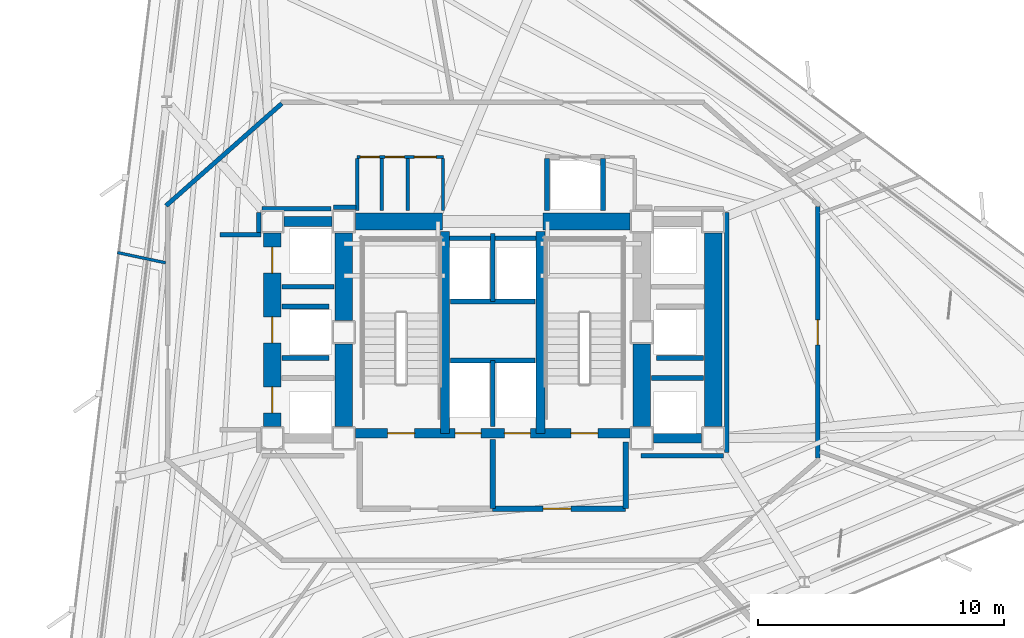
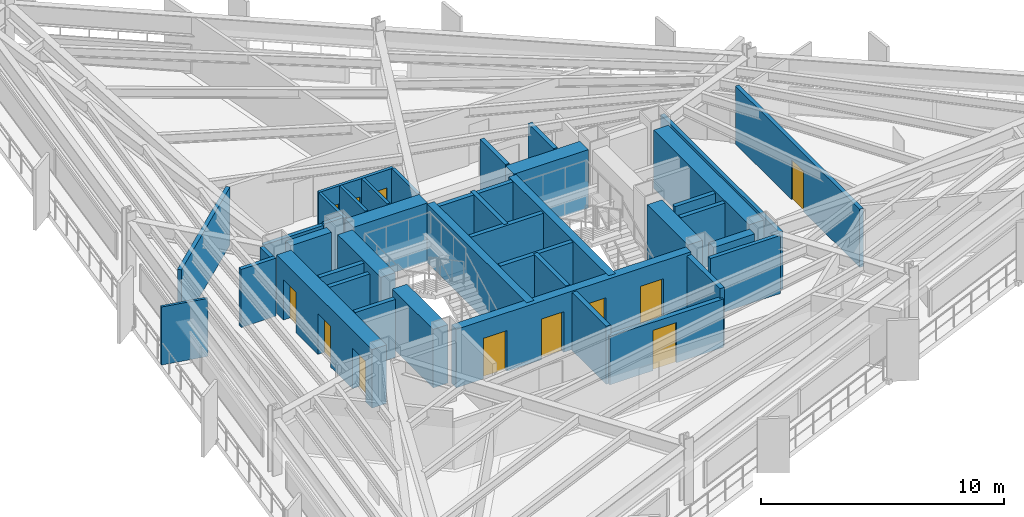
# One storey, part 7 of 13: 41 walls, 12 doors, 12 openings.
"""IFC4 building model written with IfcOpenShell, lengths in metres."""

from ifc_helpers import new_model, si_unit, direction, frame, frame_2d, origin, place, context, subcontext, project, spatial, rectangle, extrude, material, layer, layer_set, type_object, element, fill, save


model = new_model("IFC4")

# Units and contexts
model_context = context("Model", 3, precision=1e-05, world=origin(), true_north=direction((0.0, 1.0)))
body_context = subcontext(model_context, "Body", "Model", "MODEL_VIEW")
ifc_project = project(units=[si_unit("LENGTHUNIT", "METRE"), si_unit("AREAUNIT", "SQUARE_METRE"), si_unit("VOLUMEUNIT", "CUBIC_METRE"), si_unit("PLANEANGLEUNIT", "RADIAN"), si_unit("MASSUNIT", "GRAM", prefix="KILO")], contexts=[model_context])

# Site, building, storey
site_placement = place(None, origin())
site = spatial("IfcSite", under=ifc_project, at=site_placement, CompositionType="ELEMENT")
building_placement = place(site_placement, origin())
building = spatial("IfcBuilding", under=site, at=building_placement, Name="Rocaltana Carrier Exchange", CompositionType="ELEMENT")
storey_placement = place(building_placement, frame((0.0, 0.0, 73.1201171875)))
storey = spatial("IfcBuildingStorey", under=building, at=storey_placement, Name="L22", CompositionType="ELEMENT", Elevation=73.1201171875)

# Walls
ifc_material_1 = material(Name="Concrete C50/60", Category="concrete")
ifc_layer_1 = layer(ifc_material_1, 0.35009765625)
ifc_layer_set_1 = layer_set([ifc_layer_1], Name="Concrete C50/60")
wall_type_1 = type_object("IfcWallType", Name="Core Internal Shear Wall 350", PredefinedType="SHEAR", material=ifc_layer_set_1)
for number, where, z_axis, x_axis, name in (
    (1, (-1.93994140625, -4.10009765625, 0.0), (0.0, 0.0, 1.0), (0.0, 1.0, 0.0), "L22 Core Shear Wall CW-STW"),
    (2, (1.93994140625, -4.10009765625, 0.0), (0.0, 0.0, 1.0), (0.0, 1.0, 0.0), "L22 Core Shear Wall CW-STE"),
):
    element("IfcWall", number, at=place(storey_placement, frame(where, z_axis=z_axis, x_axis=x_axis)), inside=storey, type_object=wall_type_1, Name=name, PredefinedType="SHEAR", context=body_context, shape_type="SweptSolid", body=[
        extrude(rectangle(XDim=8.2001953125, YDim=0.35009765625, at=frame_2d((4.10009765625, 0.0))), origin(), (0.0, 0.0, 1.0), 2.93798828125),
    ])

# Wall, openings, doors
ifc_material_2 = material(Name="Concrete C50/60", Category="concrete")
ifc_layer_2 = layer(ifc_material_2, 0.39990234375)
ifc_layer_set_2 = layer_set([ifc_layer_2], Name="Concrete C50/60")
wall_type_2 = type_object("IfcWallType", Name="Core Internal Shear Wall 400", PredefinedType="SHEAR", material=ifc_layer_set_2)
wall_1_placement = place(storey_placement, frame((-5.574951171875, -4.10009765625, 0.0), z_axis=(0.0, 0.0, 1.0), x_axis=(1.0, 0.0, 0.0)))
wall_1 = element("IfcWall", 3, at=wall_1_placement, inside=storey, type_object=wall_type_2, Name="L22 Core Shear Wall CW-S", PredefinedType="SHEAR", context=body_context, shape_type="SweptSolid", body=[
    extrude(rectangle(XDim=11.14990234375, YDim=0.39990234375, at=frame_2d((5.574951171875, 0.0))), origin(), (0.0, 0.0, 1.0), 2.93798828125),
])
opening_1_placement = place(wall_1_placement, frame((1.304931640625, 0.0, 0.0)))
opening_1 = element("IfcOpeningElement", 4, at=opening_1_placement, cuts=wall_1, Name="Opening D-ST110", PredefinedType="OPENING", context=body_context, shape_type="SweptSolid", body=[
    extrude(rectangle(XDim=1.10009765625, YDim=2.0400390625, at=frame_2d((0.550048828125, 1.02001953125))), frame((0.0, 0.2099609375, 0.0), z_axis=(0.0, -1.0, 0.0), x_axis=(1.0, 0.0, 0.0)), (0.0, 0.0, 1.0), 0.419921875),
])
opening_2_placement = place(wall_1_placement, frame((8.7451171875, 0.0, 0.0)))
opening_2 = element("IfcOpeningElement", 5, at=opening_2_placement, cuts=wall_1, Name="Opening D-ST110", PredefinedType="OPENING", context=body_context, shape_type="SweptSolid", body=[
    extrude(rectangle(XDim=1.10009765625, YDim=2.0400390625, at=frame_2d((0.550048828125, 1.02001953125))), frame((0.0, 0.2099609375, 0.0), z_axis=(0.0, -1.0, 0.0), x_axis=(1.0, 0.0, 0.0)), (0.0, 0.0, 1.0), 0.419921875),
])
opening_3_placement = place(wall_1_placement, frame((4.044921875, 0.0, 0.0)))
opening_3 = element("IfcOpeningElement", 6, at=opening_3_placement, cuts=wall_1, Name="Opening LD-110", PredefinedType="OPENING", context=body_context, shape_type="SweptSolid", body=[
    extrude(rectangle(XDim=1.06005859375, YDim=2.0400390625, at=frame_2d((0.530029296875, 1.02001953125))), frame((0.0, 0.2099609375, 0.0), z_axis=(0.0, -1.0, 0.0), x_axis=(1.0, 0.0, 0.0)), (0.0, 0.0, 1.0), 0.419921875),
])
opening_4_placement = place(wall_1_placement, frame((6.044921875, 0.0, 0.0)))
opening_4 = element("IfcOpeningElement", 7, at=opening_4_placement, cuts=wall_1, Name="Opening LD-110", PredefinedType="OPENING", context=body_context, shape_type="SweptSolid", body=[
    extrude(rectangle(XDim=1.06005859375, YDim=2.0400390625, at=frame_2d((0.530029296875, 1.02001953125))), frame((0.0, 0.2099609375, 0.0), z_axis=(0.0, -1.0, 0.0), x_axis=(1.0, 0.0, 0.0)), (0.0, 0.0, 1.0), 0.419921875),
])
ifc_material_3 = material(Name="Hollow Metal Fire Door Assembly", Category="steel")
door_type_1 = type_object("IfcDoorType", Name="Exit Stair Fire Door 1100x2040 FD90S", OperationType="NOTDEFINED", PredefinedType="DOOR", material=ifc_material_3)
door_1_placement = place(opening_1_placement, origin())
door_1 = element("IfcDoor", 8, at=door_1_placement, inside=storey, type_object=door_type_1, Name="L22 Exit Stair ST1 Fire Door", OperationType="SINGLE_SWING_LEFT", OverallHeight=2.0400390625, OverallWidth=1.10009765625, PredefinedType="DOOR", context=body_context, shape_type="SweptSolid", body=[
    extrude(rectangle(XDim=1.10009765625, YDim=2.0400390625, at=frame_2d((0.550048828125, 1.02001953125))), frame((0.0, 0.02490234375, 0.0), z_axis=(0.0, -1.0, 0.0), x_axis=(1.0, 0.0, 0.0)), (0.0, 0.0, 1.0), 0.050048828125),
])
fill(opening_1, door_1)
door_2_placement = place(opening_2_placement, origin())
door_2 = element("IfcDoor", 9, at=door_2_placement, inside=storey, type_object=door_type_1, Name="L22 Exit Stair ST2 Fire Door", OperationType="SINGLE_SWING_RIGHT", OverallHeight=2.0400390625, OverallWidth=1.10009765625, PredefinedType="DOOR", context=body_context, shape_type="SweptSolid", body=[
    extrude(rectangle(XDim=1.10009765625, YDim=2.0400390625, at=frame_2d((0.550048828125, 1.02001953125))), frame((0.0, 0.02490234375, 0.0), z_axis=(0.0, -1.0, 0.0), x_axis=(1.0, 0.0, 0.0)), (0.0, 0.0, 1.0), 0.050048828125),
])
fill(opening_2, door_2)
ifc_material_4 = material(Name="Brushed Stainless Sliding Door Leaf", Category="steel")
door_type_2 = type_object("IfcDoorType", Name="Lift Landing Sliding Door 1060x2040", OperationType="NOTDEFINED", PredefinedType="DOOR", material=ifc_material_4)
door_3_placement = place(opening_3_placement, origin())
door_3 = element("IfcDoor", 10, at=door_3_placement, inside=storey, type_object=door_type_2, Name="L22 Firefighting Lift FFL1 Landing Door", OperationType="SLIDING_TO_LEFT", OverallHeight=2.0400390625, OverallWidth=1.06005859375, PredefinedType="DOOR", context=body_context, shape_type="SweptSolid", body=[
    extrude(rectangle(XDim=1.06005859375, YDim=2.0400390625, at=frame_2d((0.530029296875, 1.02001953125))), frame((0.0, 0.02490234375, 0.0), z_axis=(0.0, -1.0, 0.0), x_axis=(1.0, 0.0, 0.0)), (0.0, 0.0, 1.0), 0.050048828125),
])
fill(opening_3, door_3)
door_4_placement = place(opening_4_placement, origin())
door_4 = element("IfcDoor", 11, at=door_4_placement, inside=storey, type_object=door_type_2, Name="L22 Firefighting Lift FFL2 Landing Door", OperationType="SLIDING_TO_RIGHT", OverallHeight=2.0400390625, OverallWidth=1.06005859375, PredefinedType="DOOR", context=body_context, shape_type="SweptSolid", body=[
    extrude(rectangle(XDim=1.06005859375, YDim=2.0400390625, at=frame_2d((0.530029296875, 1.02001953125))), frame((0.0, 0.02490234375, 0.0), z_axis=(0.0, -1.0, 0.0), x_axis=(1.0, 0.0, 0.0)), (0.0, 0.0, 1.0), 0.050048828125),
])
fill(opening_4, door_4)

# Walls
for number, where, z_axis, x_axis, name in (
    (12, (-8.47509765625, 4.5, 0.0), (0.0, 0.0, 1.0), (1.0, 0.0, 0.0), "L22 Core Shear Wall CW-WWN"),
    (13, (6.52490234375, -4.300048828125, 0.0), (0.0, 0.0, 1.0), (1.0, 0.0, 0.0), "L22 Core Shear Wall CW-EWS"),
):
    element("IfcWall", number, at=place(storey_placement, frame(where, z_axis=z_axis, x_axis=x_axis)), inside=storey, type_object=wall_type_2, Name=name, PredefinedType="SHEAR", context=body_context, shape_type="SweptSolid", body=[
        extrude(rectangle(XDim=1.9501953125, YDim=0.39990234375, at=frame_2d((0.97509765625, 0.0))), origin(), (0.0, 0.0, 1.0), 2.93798828125),
    ])
ifc_material_5 = material(Name="Concrete C60/75", Category="concrete")
ifc_layer_3 = layer(ifc_material_5, 0.699951171875)
ifc_layer_set_3 = layer_set([ifc_layer_3], Name="Concrete C60/75")
wall_type_3 = type_object("IfcWallType", Name="Core Shear Wall 700", PredefinedType="SHEAR", material=ifc_layer_set_3)
wall_2_placement = place(storey_placement, frame((-6.050048828125, 0.47509765625, 0.0), z_axis=(0.0, 0.0, 1.0), x_axis=(0.0, 1.0, 0.0)))
element("IfcWall", 14, at=wall_2_placement, inside=storey, type_object=wall_type_3, Name="L22 Core Shear Wall CW-WN", PredefinedType="SHEAR", context=body_context, shape_type="SweptSolid", body=[
    extrude(rectangle(XDim=3.5498046875, YDim=0.699951171875, at=frame_2d((1.77490234375, 0.0))), origin(), (0.0, 0.0, 1.0), 2.93798828125),
])
for number, where, z_axis, x_axis, name in (
    (15, (-6.050048828125, -3.824951171875, 0.0), (0.0, 0.0, 1.0), (0.0, 1.0, 0.0), "L22 Core Shear Wall CW-WS"),
    (16, (6.050048828125, -3.824951171875, 0.0), (0.0, 0.0, 1.0), (0.0, 1.0, 0.0), "L22 Core Shear Wall CW-ES"),
):
    element("IfcWall", number, at=place(storey_placement, frame(where, z_axis=z_axis, x_axis=x_axis)), inside=storey, type_object=wall_type_3, Name=name, PredefinedType="SHEAR", context=body_context, shape_type="SweptSolid", body=[
        extrude(rectangle(XDim=3.349853515625, YDim=0.699951171875, at=frame_2d((1.6748046875, 0.0))), origin(), (0.0, 0.0, 1.0), 2.93798828125),
    ])
for number, where, z_axis, x_axis, name in (
    (17, (-5.574951171875, 4.5, 0.0), (0.0, 0.0, 1.0), (1.0, 0.0, 0.0), "L22 Core Shear Wall CW-N1"),
    (18, (2.050048828125, 4.5, 0.0), (0.0, 0.0, 1.0), (1.0, 0.0, 0.0), "L22 Core Shear Wall CW-N2"),
):
    element("IfcWall", number, at=place(storey_placement, frame(where, z_axis=z_axis, x_axis=x_axis)), inside=storey, type_object=wall_type_3, Name=name, PredefinedType="SHEAR", context=body_context, shape_type="SweptSolid", body=[
        extrude(rectangle(XDim=3.52490234375, YDim=0.699951171875, at=frame_2d((1.762451171875, 0.0))), origin(), (0.0, 0.0, 1.0), 2.93798828125),
    ])

# Wall, openings, doors
wall_3_placement = place(storey_placement, frame((-8.949951171875, -3.824951171875, 0.0), z_axis=(0.0, 0.0, 1.0), x_axis=(0.0, 1.0, 0.0)))
wall_3 = element("IfcWall", 19, at=wall_3_placement, inside=storey, type_object=wall_type_3, Name="L22 Core Shear Wall CW-WW", PredefinedType="SHEAR", context=body_context, shape_type="SweptSolid", body=[
    extrude(rectangle(XDim=7.849853515625, YDim=0.699951171875, at=frame_2d((3.9248046875, 0.0))), origin(), (0.0, 0.0, 1.0), 2.93798828125),
])
opening_5_placement = place(wall_3_placement, frame((0.550048828125, 0.0, 0.0)))
opening_5 = element("IfcOpeningElement", 20, at=opening_5_placement, cuts=wall_3, Name="Opening LD-110", PredefinedType="OPENING", context=body_context, shape_type="SweptSolid", body=[
    extrude(rectangle(XDim=1.06005859375, YDim=2.0400390625, at=frame_2d((0.530029296875, 1.02001953125))), frame((0.0, 0.35986328125, 0.0), z_axis=(0.0, -1.0, 0.0), x_axis=(1.0, 0.0, 0.0)), (0.0, 0.0, 1.0), 0.719970703125),
])
opening_6_placement = place(wall_3_placement, frame((3.39501953125, 0.0, 0.0)))
opening_6 = element("IfcOpeningElement", 21, at=opening_6_placement, cuts=wall_3, Name="Opening LD-110", PredefinedType="OPENING", context=body_context, shape_type="SweptSolid", body=[
    extrude(rectangle(XDim=1.06005859375, YDim=2.0400390625, at=frame_2d((0.530029296875, 1.02001953125))), frame((0.0, 0.35986328125, 0.0), z_axis=(0.0, -1.0, 0.0), x_axis=(1.0, 0.0, 0.0)), (0.0, 0.0, 1.0), 0.719970703125),
])
opening_7_placement = place(wall_3_placement, frame((6.22998046875, 0.0, 0.0)))
opening_7 = element("IfcOpeningElement", 22, at=opening_7_placement, cuts=wall_3, Name="Opening LD-110", PredefinedType="OPENING", context=body_context, shape_type="SweptSolid", body=[
    extrude(rectangle(XDim=1.06005859375, YDim=2.0400390625, at=frame_2d((0.530029296875, 1.02001953125))), frame((0.0, 0.35986328125, 0.0), z_axis=(0.0, -1.0, 0.0), x_axis=(1.0, 0.0, 0.0)), (0.0, 0.0, 1.0), 0.719970703125),
])
door_5_placement = place(opening_5_placement, origin())
door_5 = element("IfcDoor", 23, at=door_5_placement, inside=storey, type_object=door_type_2, Name="L22 Low-Rise Lift PL-L1 Landing Door", OperationType="SLIDING_TO_LEFT", OverallHeight=2.0400390625, OverallWidth=1.06005859375, PredefinedType="DOOR", context=body_context, shape_type="SweptSolid", body=[
    extrude(rectangle(XDim=1.06005859375, YDim=2.0400390625, at=frame_2d((0.530029296875, 1.02001953125))), frame((0.0, 0.02490234375, 0.0), z_axis=(0.0, -1.0, 0.0), x_axis=(1.0, 0.0, 0.0)), (0.0, 0.0, 1.0), 0.050048828125),
])
fill(opening_5, door_5)
door_6_placement = place(opening_6_placement, origin())
door_6 = element("IfcDoor", 24, at=door_6_placement, inside=storey, type_object=door_type_2, Name="L22 Low-Rise Lift PL-L2 Landing Door", OperationType="SLIDING_TO_RIGHT", OverallHeight=2.0400390625, OverallWidth=1.06005859375, PredefinedType="DOOR", context=body_context, shape_type="SweptSolid", body=[
    extrude(rectangle(XDim=1.06005859375, YDim=2.0400390625, at=frame_2d((0.530029296875, 1.02001953125))), frame((0.0, 0.02490234375, 0.0), z_axis=(0.0, -1.0, 0.0), x_axis=(1.0, 0.0, 0.0)), (0.0, 0.0, 1.0), 0.050048828125),
])
fill(opening_6, door_6)
door_7_placement = place(opening_7_placement, origin())
door_7 = element("IfcDoor", 25, at=door_7_placement, inside=storey, type_object=door_type_2, Name="L22 Low-Rise Lift PL-L3 Landing Door", OperationType="SLIDING_TO_LEFT", OverallHeight=2.0400390625, OverallWidth=1.06005859375, PredefinedType="DOOR", context=body_context, shape_type="SweptSolid", body=[
    extrude(rectangle(XDim=1.06005859375, YDim=2.0400390625, at=frame_2d((0.530029296875, 1.02001953125))), frame((0.0, 0.02490234375, 0.0), z_axis=(0.0, -1.0, 0.0), x_axis=(1.0, 0.0, 0.0)), (0.0, 0.0, 1.0), 0.050048828125),
])
fill(opening_7, door_7)

# Wall
wall_4_placement = place(storey_placement, frame((8.949951171875, -3.824951171875, 0.0), z_axis=(0.0, 0.0, 1.0), x_axis=(0.0, 1.0, 0.0)))
element("IfcWall", 26, at=wall_4_placement, inside=storey, type_object=wall_type_3, Name="L22 Core Shear Wall CW-EW", PredefinedType="SHEAR", context=body_context, shape_type="SweptSolid", body=[
    extrude(rectangle(XDim=7.849853515625, YDim=0.699951171875, at=frame_2d((3.9248046875, 0.0))), origin(), (0.0, 0.0, 1.0), 2.93798828125),
])

# Wall, opening, door
ifc_material_6 = material(Name="Gypsum & Steel Stud Partition", Category="steel")
ifc_layer_4 = layer(ifc_material_6, 0.179931640625)
ifc_layer_set_4 = layer_set([ifc_layer_4], Name="Gypsum & Steel Stud Partition")
wall_type_4 = type_object("IfcWallType", Name="Corridor Fire Partition 180 EI60", PredefinedType="PARTITIONING", material=ifc_layer_set_4)
wall_5_placement = place(storey_placement, frame((13.199951171875, 5.110107421875, 0.0), z_axis=(0.0, 0.0, 1.0), x_axis=(0.0, -1.0, 0.0)))
wall_5 = element("IfcWall", 27, at=wall_5_placement, inside=storey, type_object=wall_type_4, Name="L22 Corridor Partition 3", PredefinedType="PARTITIONING", context=body_context, shape_type="SweptSolid", body=[
    extrude(rectangle(XDim=10.22021484375, YDim=0.179931640625, at=frame_2d((5.110107421875, 0.0))), origin(), (0.0, 0.0, 1.0), 2.912841796875),
])
opening_8_placement = place(wall_5_placement, frame((4.60009765625, 0.0, 0.0)))
opening_8 = element("IfcOpeningElement", 28, at=opening_8_placement, cuts=wall_5, Name="Opening D-LB104", PredefinedType="OPENING", context=body_context, shape_type="SweptSolid", body=[
    extrude(rectangle(XDim=1.02001953125, YDim=2.02001953125, at=frame_2d((0.510009765625, 1.010009765625))), frame((0.0, 0.099853515625, 0.0), z_axis=(0.0, -1.0, 0.0), x_axis=(1.0, 0.0, 0.0)), (0.0, 0.0, 1.0), 0.199951171875),
])
ifc_material_7 = material(Name="Powder-Coated Aluminium 6063-T6", Category="aluminium")
door_type_3 = type_object("IfcDoorType", Name="Laboratory Acoustic Door 1020x2020", OperationType="NOTDEFINED", PredefinedType="DOOR", material=ifc_material_7)
door_8_placement = place(opening_8_placement, origin())
door_8 = element("IfcDoor", 29, at=door_8_placement, inside=storey, type_object=door_type_3, Name="L22 Optical Switching Laboratory Entrance Door", OperationType="SINGLE_SWING_RIGHT", OverallHeight=2.02001953125, OverallWidth=1.02001953125, PredefinedType="DOOR", context=body_context, shape_type="SweptSolid", body=[
    extrude(rectangle(XDim=1.02001953125, YDim=2.02001953125, at=frame_2d((0.510009765625, 1.010009765625))), frame((0.0, 0.02490234375, 0.0), z_axis=(0.0, -1.0, 0.0), x_axis=(1.0, 0.0, 0.0)), (0.0, 0.0, 1.0), 0.050048828125),
])
fill(opening_8, door_8)

# Walls
wall_6_placement = place(storey_placement, frame((-13.267578125, 5.140380859375, 0.0), z_axis=(0.0, 0.0, 1.0), x_axis=(0.749626463267, 0.66186113768, 0.0)))
element("IfcWall", 30, at=wall_6_placement, inside=storey, type_object=wall_type_4, Name="L22 Corridor Partition 8", PredefinedType="PARTITIONING", context=body_context, shape_type="SweptSolid", body=[
    extrude(rectangle(XDim=6.27001953125, YDim=0.179931640625, at=frame_2d((3.135009765625, 0.0))), origin(), (0.0, 0.0, 1.0), 2.912841796875),
])
wall_7_placement = place(storey_placement, frame((-9.510009765625, 4.8701171875, 0.0), z_axis=(0.0, 0.0, 1.0), x_axis=(0.0, -1.0, 0.0)))
element("IfcWall", 31, at=wall_7_placement, inside=storey, type_object=wall_type_4, Name="L22 Corridor Partition 9", PredefinedType="PARTITIONING", context=body_context, shape_type="SweptSolid", body=[
    extrude(rectangle(XDim=0.820068359375, YDim=0.179931640625, at=frame_2d((0.41015625, 0.0))), origin(), (0.0, 0.0, 1.0), 2.912841796875),
])
wall_8_placement = place(storey_placement, frame((-9.419921875, 3.9599609375, 0.0), z_axis=(0.0, 0.0, 1.0), x_axis=(-1.0, 0.0, 0.0)))
element("IfcWall", 32, at=wall_8_placement, inside=storey, type_object=wall_type_4, Name="L22 Corridor Partition 10", PredefinedType="PARTITIONING", context=body_context, shape_type="SweptSolid", body=[
    extrude(rectangle(XDim=1.650146484375, YDim=0.179931640625, at=frame_2d((0.8251953125, 0.0))), origin(), (0.0, 0.0, 1.0), 2.912841796875),
])
wall_9_placement = place(storey_placement, frame((6.030029296875, -5.010009765625, 0.0), z_axis=(0.0, 0.0, 1.0), x_axis=(1.0, 0.0, 0.0)))
element("IfcWall", 33, at=wall_9_placement, inside=storey, type_object=wall_type_4, Name="L22 Corridor Partition 16", PredefinedType="PARTITIONING", context=body_context, shape_type="SweptSolid", body=[
    extrude(rectangle(XDim=3.340087890625, YDim=0.179931640625, at=frame_2d((1.669921875, 0.0))), origin(), (0.0, 0.0, 1.0), 2.912841796875),
])
wall_10_placement = place(storey_placement, frame((9.510009765625, -4.8701171875, 0.0), z_axis=(0.0, 0.0, 1.0), x_axis=(0.0, 1.0, 0.0)))
element("IfcWall", 34, at=wall_10_placement, inside=storey, type_object=wall_type_4, Name="L22 Corridor Partition 17", PredefinedType="PARTITIONING", context=body_context, shape_type="SweptSolid", body=[
    extrude(rectangle(XDim=9.740234375, YDim=0.179931640625, at=frame_2d((4.8701171875, 0.0))), origin(), (0.0, 0.0, 1.0), 2.912841796875),
])
wall_11_placement = place(storey_placement, frame((-5.550048828125, 5.080078125, 0.0), z_axis=(0.0, 0.0, 1.0), x_axis=(-1.0, 0.0, 0.0)))
element("IfcWall", 35, at=wall_11_placement, inside=storey, type_object=wall_type_4, Name="L22 Corridor Partition 22", PredefinedType="PARTITIONING", context=body_context, shape_type="SweptSolid", body=[
    extrude(rectangle(XDim=0.919921875, YDim=0.179931640625, at=frame_2d((0.4599609375, 0.0))), origin(), (0.0, 0.0, 1.0), 2.912841796875),
])
wall_12_placement = place(storey_placement, frame((-6.562255859375, 5.010009765625, 0.0), z_axis=(0.0, 0.0, 1.0), x_axis=(-1.0, 0.0, 0.0)))
element("IfcWall", 36, at=wall_12_placement, inside=storey, type_object=wall_type_4, Name="L22 Corridor Partition 23", PredefinedType="PARTITIONING", context=body_context, shape_type="SweptSolid", body=[
    extrude(rectangle(XDim=2.807861328125, YDim=0.179931640625, at=frame_2d((1.40380859375, 0.0))), origin(), (0.0, 0.0, 1.0), 2.912841796875),
])
ifc_material_8 = material(Name="Aluminium 6063-T6 & Acoustic Glass", Category="aluminium")
ifc_layer_5 = layer(ifc_material_8, 0.114990234375)
ifc_layer_set_5 = layer_set([ifc_layer_5], Name="Aluminium 6063-T6 & Acoustic Glass")
wall_type_5 = type_object("IfcWallType", Name="Demountable Glazed Lab Partition 115", PredefinedType="MOVABLE", material=ifc_layer_set_5)
wall_13_placement = place(storey_placement, frame((-13.280029296875, 2.82275390625, 0.0), z_axis=(0.0, 0.0, 1.0), x_axis=(-0.978147079353, 0.207914143705, 0.0)))
element("IfcWall", 37, at=wall_13_placement, inside=storey, type_object=wall_type_5, Name="L22 Suite Divider Wall D7", PredefinedType="MOVABLE", context=body_context, shape_type="SweptSolid", body=[
    extrude(rectangle(XDim=2.003173828125, YDim=0.114990234375, at=frame_2d((1.00146484375, 0.0))), origin(), (0.0, 0.0, 1.0), 2.912841796875),
])
ifc_material_9 = material(Name="Autoclaved Aerated Concrete C30/37", Category="concrete")
ifc_layer_6 = layer(ifc_material_9, 0.219970703125)
ifc_layer_set_6 = layer_set([ifc_layer_6], Name="Autoclaved Aerated Concrete C30/37")
wall_type_6 = type_object("IfcWallType", Name="Firefighting Lobby Wall 220 EI120", PredefinedType="PARTITIONING", material=ifc_layer_set_6)
wall_14_placement = place(storey_placement, frame((5.39990234375, -7.159912109375, 0.0), z_axis=(0.0, 0.0, 1.0), x_axis=(0.0, 1.0, 0.0)))
element("IfcWall", 38, at=wall_14_placement, inside=storey, type_object=wall_type_6, Name="L22 FFL Lobby 2 East Wall", PredefinedType="PARTITIONING", context=body_context, shape_type="SweptSolid", body=[
    extrude(rectangle(XDim=2.7099609375, YDim=0.219970703125, at=frame_2d((1.35498046875, 0.0))), origin(), (0.0, 0.0, 1.0), 2.912841796875),
])
wall_15_placement = place(storey_placement, frame((0.0, -7.159912109375, 0.0), z_axis=(0.0, 0.0, 1.0), x_axis=(0.0, 1.0, 0.0)))
element("IfcWall", 39, at=wall_15_placement, inside=storey, type_object=wall_type_6, Name="L22 FFL Lobby Centre Wall", PredefinedType="PARTITIONING", context=body_context, shape_type="SweptSolid", body=[
    extrude(rectangle(XDim=2.809814453125, YDim=0.219970703125, at=frame_2d((1.40478515625, 0.0))), origin(), (0.0, 0.0, 1.0), 2.912841796875),
])

# Wall, opening, door
wall_16_placement = place(storey_placement, frame((0.0, -7.159912109375, 0.0), z_axis=(0.0, 0.0, 1.0), x_axis=(1.0, 0.0, 0.0)))
wall_16 = element("IfcWall", 40, at=wall_16_placement, inside=storey, type_object=wall_type_6, Name="L22 FFL Lobby 2 South Wall", PredefinedType="PARTITIONING", context=body_context, shape_type="SweptSolid", body=[
    extrude(rectangle(XDim=5.39990234375, YDim=0.219970703125, at=frame_2d((2.699951171875, 0.0))), origin(), (0.0, 0.0, 1.0), 2.427001953125),
])
opening_9_placement = place(wall_16_placement, frame((2.050048828125, 0.0, 0.0)))
opening_9 = element("IfcOpeningElement", 41, at=opening_9_placement, cuts=wall_16, Name="Opening D-FF115", PredefinedType="OPENING", context=body_context, shape_type="SweptSolid", body=[
    extrude(rectangle(XDim=1.1201171875, YDim=2.02001953125, at=frame_2d((0.56005859375, 1.010009765625))), frame((0.0, 0.119873046875, 0.0), z_axis=(0.0, -1.0, 0.0), x_axis=(1.0, 0.0, 0.0)), (0.0, 0.0, 1.0), 0.239990234375),
])
ifc_material_10 = material(Name="Hollow Metal Fire Door Assembly", Category="steel")
door_type_4 = type_object("IfcDoorType", Name="Firefighting Lobby Door 1120x2020 FD60S", OperationType="NOTDEFINED", PredefinedType="DOOR", material=ifc_material_10)
door_9_placement = place(opening_9_placement, origin())
door_9 = element("IfcDoor", 42, at=door_9_placement, inside=storey, type_object=door_type_4, Name="L22 Firefighting Lift Lobby 2 Door", OperationType="SINGLE_SWING_RIGHT", OverallHeight=2.02001953125, OverallWidth=1.1201171875, PredefinedType="DOOR", context=body_context, shape_type="SweptSolid", body=[
    extrude(rectangle(XDim=1.1201171875, YDim=2.02001953125, at=frame_2d((0.56005859375, 1.010009765625))), frame((0.0, 0.02490234375, 0.0), z_axis=(0.0, -1.0, 0.0), x_axis=(1.0, 0.0, 0.0)), (0.0, 0.0, 1.0), 0.050048828125),
])
fill(opening_9, door_9)

# Walls
ifc_material_11 = material(Name="Reinforced Concrete Block C35/45", Category="concrete")
ifc_layer_7 = layer(ifc_material_11, 0.199951171875)
ifc_layer_set_7 = layer_set([ifc_layer_7], Name="Reinforced Concrete Block C35/45")
wall_type_7 = type_object("IfcWallType", Name="Lift Hoistway Enclosure Wall 200 EI120", PredefinedType="PARTITIONING", material=ifc_layer_set_7)
wall_17_placement = place(storey_placement, frame((0.0, -3.820068359375, 0.0), z_axis=(0.0, 0.0, 1.0), x_axis=(0.0, 1.0, 0.0)))
element("IfcWall", 43, at=wall_17_placement, inside=storey, type_object=wall_type_7, Name="L22 FFL Shaft Divider", PredefinedType="PARTITIONING", context=body_context, shape_type="SweptSolid", body=[
    extrude(rectangle(XDim=2.670166015625, YDim=0.199951171875, at=frame_2d((1.3349609375, 0.0))), origin(), (0.0, 0.0, 1.0), 2.912841796875),
])
wall_18_placement = place(storey_placement, frame((-1.719970703125, -1.14990234375, 0.0), z_axis=(0.0, 0.0, 1.0), x_axis=(1.0, 0.0, 0.0)))
element("IfcWall", 44, at=wall_18_placement, inside=storey, type_object=wall_type_7, Name="L22 FFL Shaft Back Wall", PredefinedType="PARTITIONING", context=body_context, shape_type="SweptSolid", body=[
    extrude(rectangle(XDim=3.43994140625, YDim=0.199951171875, at=frame_2d((1.719970703125, 0.0))), origin(), (0.0, 0.0, 1.0), 2.912841796875),
])
wall_19_placement = place(storey_placement, frame((0.0, 1.25, 0.0), z_axis=(0.0, 0.0, 1.0), x_axis=(0.0, 1.0, 0.0)))
element("IfcWall", 45, at=wall_19_placement, inside=storey, type_object=wall_type_7, Name="L22 High-Rise Shaft Divider", PredefinedType="PARTITIONING", context=body_context, shape_type="SweptSolid", body=[
    extrude(rectangle(XDim=2.77001953125, YDim=0.199951171875, at=frame_2d((1.385009765625, 0.0))), origin(), (0.0, 0.0, 1.0), 2.912841796875),
])
wall_20_placement = place(storey_placement, frame((-1.719970703125, 1.25, 0.0), z_axis=(0.0, 0.0, 1.0), x_axis=(1.0, 0.0, 0.0)))
element("IfcWall", 46, at=wall_20_placement, inside=storey, type_object=wall_type_7, Name="L22 High-Rise Shaft Back Wall", PredefinedType="PARTITIONING", context=body_context, shape_type="SweptSolid", body=[
    extrude(rectangle(XDim=3.43994140625, YDim=0.199951171875, at=frame_2d((1.719970703125, 0.0))), origin(), (0.0, 0.0, 1.0), 2.912841796875),
])
wall_21_placement = place(storey_placement, frame((-1.760009765625, 3.820068359375, 0.0), z_axis=(0.0, 0.0, 1.0), x_axis=(1.0, 0.0, 0.0)))
element("IfcWall", 47, at=wall_21_placement, inside=storey, type_object=wall_type_7, Name="L22 High-Rise Lift Front Wall", PredefinedType="PARTITIONING", context=body_context, shape_type="SweptSolid", body=[
    extrude(rectangle(XDim=3.52001953125, YDim=0.199951171875, at=frame_2d((1.760009765625, 0.0))), origin(), (0.0, 0.0, 1.0), 2.912841796875),
])
for number, where, z_axis, x_axis, name in (
    (48, (2.199951171875, 4.949951171875, 0.0), (0.0, 0.0, 1.0), (0.0, 1.0, 0.0), "L22 Goods Lift West Wall"),
    (49, (4.47998046875, 4.949951171875, 0.0), (0.0, 0.0, 1.0), (0.0, 1.0, 0.0), "L22 Goods Lift East Wall"),
    (50, (-8.550048828125, 1.85009765625, 0.0), (0.0, 0.0, 1.0), (1.0, 0.0, 0.0), "L22 Low-Rise Shaft Divider 2"),
):
    element("IfcWall", number, at=place(storey_placement, frame(where, z_axis=z_axis, x_axis=x_axis)), inside=storey, type_object=wall_type_7, Name=name, PredefinedType="PARTITIONING", context=body_context, shape_type="SweptSolid", body=[
        extrude(rectangle(XDim=2.10009765625, YDim=0.199951171875, at=frame_2d((1.050048828125, 0.0))), origin(), (0.0, 0.0, 1.0), 2.912841796875),
    ])
for number, where, z_axis, x_axis, name in (
    (51, (-8.550048828125, -1.050048828125, 0.0), (0.0, 0.0, 1.0), (1.0, 0.0, 0.0), "L22 Low-Rise Center Shaft Wall South"),
    (52, (-8.550048828125, 1.050048828125, 0.0), (0.0, 0.0, 1.0), (1.0, 0.0, 0.0), "L22 Low-Rise Center Shaft Wall North"),
):
    element("IfcWall", number, at=place(storey_placement, frame(where, z_axis=z_axis, x_axis=x_axis)), inside=storey, type_object=wall_type_7, Name=name, PredefinedType="PARTITIONING", context=body_context, shape_type="SweptSolid", body=[
        extrude(rectangle(XDim=1.91015625, YDim=0.199951171875, at=frame_2d((0.955078125, 0.0))), origin(), (0.0, 0.0, 1.0), 2.912841796875),
    ])
wall_22_placement = place(storey_placement, frame((6.449951171875, -1.85009765625, 0.0), z_axis=(0.0, 0.0, 1.0), x_axis=(1.0, 0.0, 0.0)))
element("IfcWall", 53, at=wall_22_placement, inside=storey, type_object=wall_type_7, Name="L22 Mid-Rise Shaft Divider 1", PredefinedType="PARTITIONING", context=body_context, shape_type="SweptSolid", body=[
    extrude(rectangle(XDim=2.10009765625, YDim=0.199951171875, at=frame_2d((1.050048828125, 0.0))), origin(), (0.0, 0.0, 1.0), 2.912841796875),
])
wall_23_placement = place(storey_placement, frame((6.639892578125, -1.050048828125, 0.0), z_axis=(0.0, 0.0, 1.0), x_axis=(1.0, 0.0, 0.0)))
element("IfcWall", 54, at=wall_23_placement, inside=storey, type_object=wall_type_7, Name="L22 Mid-Rise Center Shaft Wall South", PredefinedType="PARTITIONING", context=body_context, shape_type="SweptSolid", body=[
    extrude(rectangle(XDim=1.91015625, YDim=0.199951171875, at=frame_2d((0.955078125, 0.0))), origin(), (0.0, 0.0, 1.0), 2.912841796875),
])
ifc_material_12 = material(Name="Moisture-Resistant Masonry C30/37", Category="masonry")
ifc_layer_8 = layer(ifc_material_12, 0.139892578125)
ifc_layer_set_8 = layer_set([ifc_layer_8], Name="Moisture-Resistant Masonry C30/37")
wall_type_8 = type_object("IfcWallType", Name="Wet-Area Sanitary Partition 140", PredefinedType="PARTITIONING", material=ifc_layer_set_8)
for number, where, z_axis, x_axis, name in (
    (55, (-5.5, 4.949951171875, 0.0), (0.0, 0.0, 1.0), (0.0, 1.0, 0.0), "L22 Sanitary West Wall"),
    (56, (-4.5, 4.949951171875, 0.0), (0.0, 0.0, 1.0), (0.0, 1.0, 0.0), "L22 Sanitary Divider 1"),
    (57, (-3.449951171875, 4.949951171875, 0.0), (0.0, 0.0, 1.0), (0.0, 1.0, 0.0), "L22 Sanitary Divider 2"),
    (58, (-2.02001953125, 4.949951171875, 0.0), (0.0, 0.0, 1.0), (0.0, 1.0, 0.0), "L22 Sanitary East Wall"),
):
    element("IfcWall", number, at=place(storey_placement, frame(where, z_axis=z_axis, x_axis=x_axis)), inside=storey, type_object=wall_type_8, Name=name, PredefinedType="PARTITIONING", context=body_context, shape_type="SweptSolid", body=[
        extrude(rectangle(XDim=2.10009765625, YDim=0.139892578125, at=frame_2d((1.050048828125, 0.0))), origin(), (0.0, 0.0, 1.0), 2.912841796875),
    ])

# Wall, openings, doors
wall_24_placement = place(storey_placement, frame((-5.52001953125, 7.1201171875, 0.0), z_axis=(0.0, 0.0, 1.0), x_axis=(1.0, 0.0, 0.0)))
wall_24 = element("IfcWall", 59, at=wall_24_placement, inside=storey, type_object=wall_type_8, Name="L22 Sanitary North Wall", PredefinedType="PARTITIONING", context=body_context, shape_type="SweptSolid", body=[
    extrude(rectangle(XDim=3.52001953125, YDim=0.139892578125, at=frame_2d((1.760009765625, 0.0))), origin(), (0.0, 0.0, 1.0), 2.912841796875),
])
opening_10_placement = place(wall_24_placement, frame((0.139892578125, 0.0, 0.0)))
opening_10 = element("IfcOpeningElement", 60, at=opening_10_placement, cuts=wall_24, Name="Opening D-RS082", PredefinedType="OPENING", context=body_context, shape_type="SweptSolid", body=[
    extrude(rectangle(XDim=0.780029296875, YDim=2.010009765625, at=frame_2d((0.39013671875, 1.0048828125))), frame((0.0, 0.079833984375, 0.0), z_axis=(0.0, -1.0, 0.0), x_axis=(1.0, 0.0, 0.0)), (0.0, 0.0, 1.0), 0.159912109375),
])
opening_11_placement = place(wall_24_placement, frame((1.14990234375, 0.0, 0.0)))
opening_11 = element("IfcOpeningElement", 61, at=opening_11_placement, cuts=wall_24, Name="Opening D-RS082", PredefinedType="OPENING", context=body_context, shape_type="SweptSolid", body=[
    extrude(rectangle(XDim=0.780029296875, YDim=2.010009765625, at=frame_2d((0.39013671875, 1.0048828125))), frame((0.0, 0.079833984375, 0.0), z_axis=(0.0, -1.0, 0.0), x_axis=(1.0, 0.0, 0.0)), (0.0, 0.0, 1.0), 0.159912109375),
])
opening_12_placement = place(wall_24_placement, frame((2.340087890625, 0.0, 0.0)))
opening_12 = element("IfcOpeningElement", 62, at=opening_12_placement, cuts=wall_24, Name="Opening D-WC090", PredefinedType="OPENING", context=body_context, shape_type="SweptSolid", body=[
    extrude(rectangle(XDim=0.8798828125, YDim=2.02001953125, at=frame_2d((0.43994140625, 1.010009765625))), frame((0.0, 0.079833984375, 0.0), z_axis=(0.0, -1.0, 0.0), x_axis=(1.0, 0.0, 0.0)), (0.0, 0.0, 1.0), 0.159912109375),
])
ifc_material_13 = material(Name="High-Pressure Laminate Timber", Category="wood")
door_type_5 = type_object("IfcDoorType", Name="Restroom & Accessible WC Door 880x2020", OperationType="NOTDEFINED", PredefinedType="DOOR", material=ifc_material_13)
door_10_placement = place(opening_12_placement, origin())
door_10 = element("IfcDoor", 63, at=door_10_placement, inside=storey, type_object=door_type_5, Name="L22 Accessible Toilet Door", OperationType="SINGLE_SWING_LEFT", OverallHeight=2.02001953125, OverallWidth=0.8798828125, PredefinedType="DOOR", context=body_context, shape_type="SweptSolid", body=[
    extrude(rectangle(XDim=0.8798828125, YDim=2.02001953125, at=frame_2d((0.43994140625, 1.010009765625))), frame((0.0, 0.02490234375, 0.0), z_axis=(0.0, -1.0, 0.0), x_axis=(1.0, 0.0, 0.0)), (0.0, 0.0, 1.0), 0.050048828125),
])
fill(opening_12, door_10)
ifc_material_14 = material(Name="Hollow Metal Access Door Leaf", Category="steel")
door_type_6 = type_object("IfcDoorType", Name="Riser & Service Closet Door 780x2010", OperationType="NOTDEFINED", PredefinedType="DOOR", material=ifc_material_14)
door_11_placement = place(opening_10_placement, origin())
door_11 = element("IfcDoor", 64, at=door_11_placement, inside=storey, type_object=door_type_6, Name="L22 Cleaner Store Door", OperationType="SINGLE_SWING_LEFT", OverallHeight=2.010009765625, OverallWidth=0.780029296875, PredefinedType="DOOR", context=body_context, shape_type="SweptSolid", body=[
    extrude(rectangle(XDim=0.780029296875, YDim=2.010009765625, at=frame_2d((0.39013671875, 1.0048828125))), frame((0.0, 0.02490234375, 0.0), z_axis=(0.0, -1.0, 0.0), x_axis=(1.0, 0.0, 0.0)), (0.0, 0.0, 1.0), 0.050048828125),
])
fill(opening_10, door_11)
door_12_placement = place(opening_11_placement, origin())
door_12 = element("IfcDoor", 65, at=door_12_placement, inside=storey, type_object=door_type_6, Name="L22 Staff Restroom Door", OperationType="SINGLE_SWING_RIGHT", OverallHeight=2.010009765625, OverallWidth=0.780029296875, PredefinedType="DOOR", context=body_context, shape_type="SweptSolid", body=[
    extrude(rectangle(XDim=0.780029296875, YDim=2.010009765625, at=frame_2d((0.39013671875, 1.0048828125))), frame((0.0, 0.02490234375, 0.0), z_axis=(0.0, -1.0, 0.0), x_axis=(1.0, 0.0, 0.0)), (0.0, 0.0, 1.0), 0.050048828125),
])
fill(opening_11, door_12)

save(model, "model.ifc")
